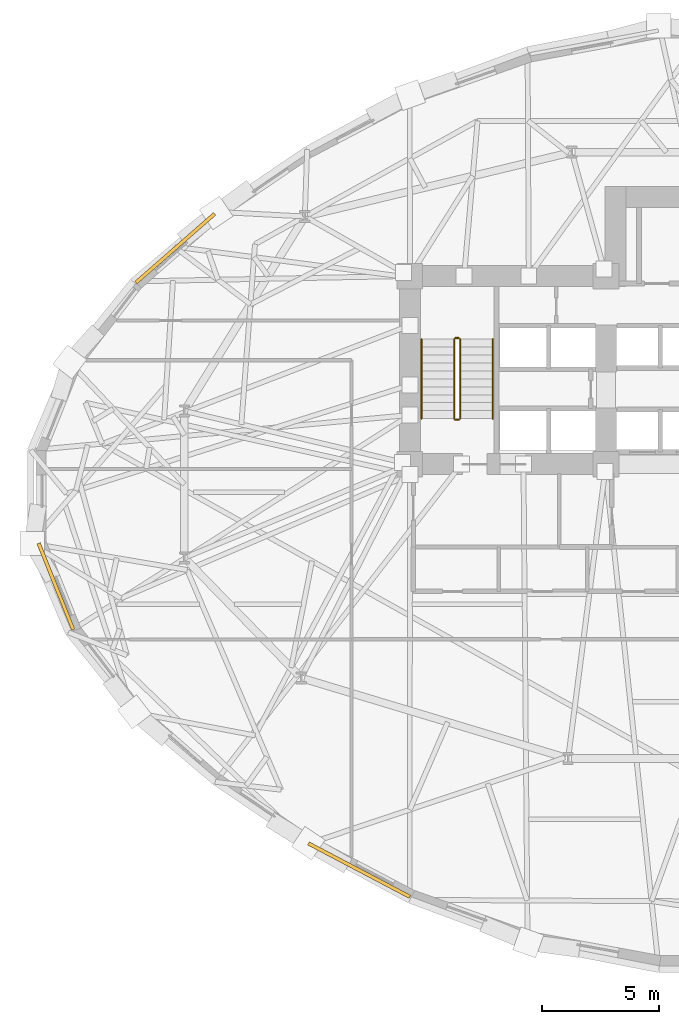
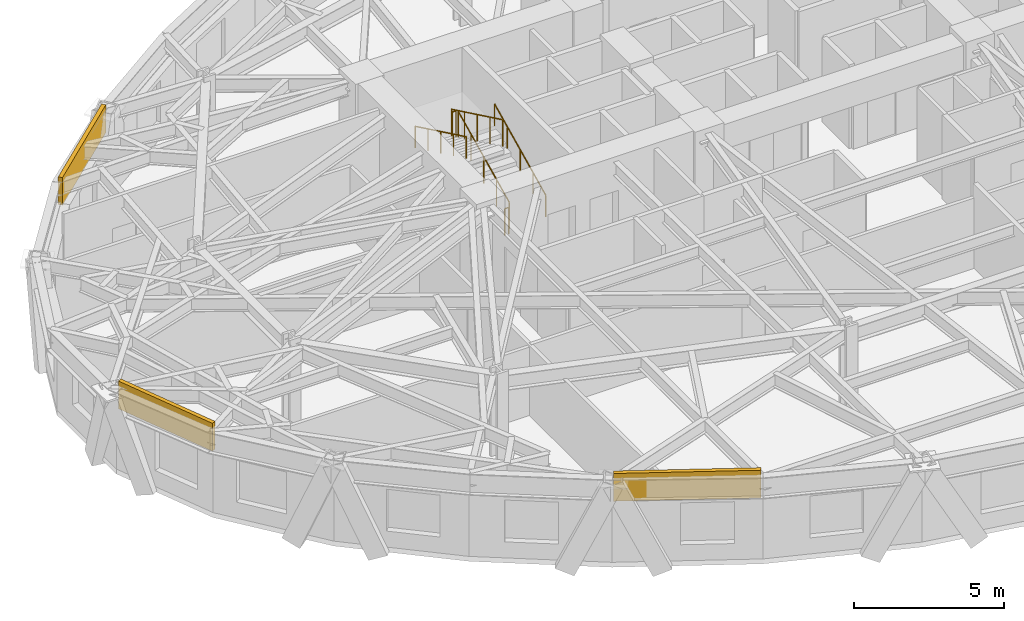
# One storey, part 11 of 14: 6 railings, 3 coverings.
"""IFC4 building model written with IfcOpenShell, lengths in metres."""

from ifc_helpers import new_model, si_unit, direction, frame, origin, origin_2d, place, context, subcontext, project, spatial, rectangle, circle, extrude, material, layer, layer_set, type_object, element, save


model = new_model("IFC4")

# Units and contexts
model_context = context("Model", 3, precision=1e-05, world=origin(), true_north=direction((0.0, 1.0)))
body_context = subcontext(model_context, "Body", "Model", "MODEL_VIEW")
ifc_project = project(units=[si_unit("LENGTHUNIT", "METRE"), si_unit("AREAUNIT", "SQUARE_METRE"), si_unit("VOLUMEUNIT", "CUBIC_METRE"), si_unit("PLANEANGLEUNIT", "RADIAN"), si_unit("MASSUNIT", "GRAM", prefix="KILO")], contexts=[model_context])

# Site, building, storey
site_placement = place(None, origin())
site = spatial("IfcSite", under=ifc_project, at=site_placement, CompositionType="ELEMENT")
building_placement = place(site_placement, origin())
building = spatial("IfcBuilding", under=site, at=building_placement, Name="Keldmark Tower", CompositionType="ELEMENT")
storey_placement = place(building_placement, frame((0.0, 0.0, 66.60009765625)))
storey = spatial("IfcBuildingStorey", under=building, at=storey_placement, Name="L17", CompositionType="ELEMENT", Elevation=66.60009765625)

# Coverings
ifc_material_1 = material(Name="Honed Kasota Buff Dolomitic Limestone", Category="masonry")
ifc_layer = layer(ifc_material_1, 0.074951171875)
ifc_layer_set = layer_set([ifc_layer], Name="Honed Kasota Buff Dolomitic Limestone")
covering_type = type_object("IfcCoveringType", Name="Kasota Buff Limestone Spandrel Cladding Band", PredefinedType="CLADDING", material=ifc_layer_set)
covering_1_placement = place(storey_placement, frame((-23.645751953125, 10.64697265625, 2.452880859375), z_axis=(0.0, 0.0, 1.0), x_axis=(-0.75308130866, -0.657927459943, 0.0)))
element("IfcCovering", 1, at=covering_1_placement, inside=storey, type_object=covering_type, Name="L17 Kasota Limestone Spandrel Band 13", PredefinedType="CLADDING", context=body_context, shape_type="SweptSolid", body=[
    extrude(rectangle(XDim=4.464111328125, YDim=0.14990234375, at=origin_2d()), origin(), (0.0, 0.0, 1.0), 1.126953125),
])
covering_2_placement = place(storey_placement, frame((-28.7578125, -3.837890625, 2.452880859375), z_axis=(0.0, 0.0, 1.0), x_axis=(0.371740523718, -0.928336675472, 0.0)))
element("IfcCovering", 2, at=covering_2_placement, inside=storey, type_object=covering_type, Name="L17 Kasota Limestone Spandrel Band 17", PredefinedType="CLADDING", context=body_context, shape_type="SweptSolid", body=[
    extrude(rectangle(XDim=3.974609375, YDim=0.14990234375, at=origin_2d()), origin(), (0.0, 0.0, 1.0), 1.126953125),
])
covering_3_placement = place(storey_placement, frame((-15.77294921875, -15.98486328125, 2.452880859375), z_axis=(0.0, 0.0, 1.0), x_axis=(0.884938873572, -0.465707193461, 0.0)))
element("IfcCovering", 3, at=covering_3_placement, inside=storey, type_object=covering_type, Name="L17 Kasota Limestone Spandrel Band 21", PredefinedType="CLADDING", context=body_context, shape_type="SweptSolid", body=[
    extrude(rectangle(XDim=4.906494140625, YDim=0.14990234375, at=origin_2d()), origin(), (0.0, 0.0, 1.0), 1.126953125),
])

# Railings
ifc_material_2 = material(Name="Painted Steel ASTM A500 Grade B", Category="steel")
railing_type_1 = type_object("IfcRailingType", Name="Painted Steel Stair Well Guard 1100 mm", PredefinedType="GUARDRAIL", material=ifc_material_2)
railing_1_placement = place(storey_placement, frame((-11.449951171875, 3.35009765625, 0.16357421875)))
element("IfcRailing", 4, at=railing_1_placement, inside=storey, type_object=railing_type_1, Name="L17 ST1 stair guard 1", PredefinedType="GUARDRAIL", context=body_context, shape_type="SweptSolid", body=[
    extrude(circle(Radius=0.02392578125, at=origin_2d()), frame((0.0, 0.0, 1.076171875), z_axis=(0.0, 0.901080338394, 0.433652192153), x_axis=(-1.0, 0.0, 0.0)), (0.0, 0.0, 1.0), 3.773193359375),
    extrude(circle(Radius=0.02099609375, at=origin_2d()), origin(), (0.0, 0.0, 1.0), 1.052001953125),
    extrude(circle(Radius=0.02099609375, at=origin_2d()), frame((0.0, 0.85009765625, 0.4091796875)), (0.0, 0.0, 1.0), 1.052001953125),
    extrude(circle(Radius=0.02099609375, at=origin_2d()), frame((0.0, 1.699951171875, 0.818115234375)), (0.0, 0.0, 1.0), 1.052001953125),
    extrude(circle(Radius=0.02099609375, at=origin_2d()), frame((0.0, 2.5498046875, 1.22705078125)), (0.0, 0.0, 1.0), 1.052001953125),
    extrude(circle(Radius=0.02099609375, at=origin_2d()), frame((0.0, 3.39990234375, 1.63623046875)), (0.0, 0.0, 1.0), 1.052001953125),
])
railing_2_placement = place(storey_placement, frame((-11.5, 6.800048828125, 1.7998046875)))
element("IfcRailing", 5, at=railing_2_placement, inside=storey, type_object=railing_type_1, Name="L17 ST1 stair guard 2", PredefinedType="GUARDRAIL", context=body_context, shape_type="SweptSolid", body=[
    extrude(circle(Radius=0.02392578125, at=origin_2d()), frame((0.0, 0.0, 1.076171875), z_axis=(-1.0, 0.0, 0.0), x_axis=(0.0, -1.0, 0.0)), (0.0, 0.0, 1.0), 0.14990234375),
    extrude(circle(Radius=0.02099609375, at=origin_2d()), origin(), (0.0, 0.0, 1.0), 1.052001953125),
    extrude(circle(Radius=0.02099609375, at=origin_2d()), frame((-0.14990234375, 0.0, 0.0)), (0.0, 0.0, 1.0), 1.052001953125),
])
railing_3_placement = place(storey_placement, frame((-11.699951171875, 6.75, 1.963623046875)))
element("IfcRailing", 6, at=railing_3_placement, inside=storey, type_object=railing_type_1, Name="L17 ST1 stair guard 3", PredefinedType="GUARDRAIL", context=body_context, shape_type="SweptSolid", body=[
    extrude(circle(Radius=0.02392578125, at=origin_2d()), frame((0.0, 0.0, 1.076171875), z_axis=(0.0, -0.901080338394, 0.433652192153), x_axis=(1.0, 0.0, 0.0)), (0.0, 0.0, 1.0), 3.773193359375),
    extrude(circle(Radius=0.02099609375, at=origin_2d()), origin(), (0.0, 0.0, 1.0), 1.052001953125),
    extrude(circle(Radius=0.02099609375, at=origin_2d()), frame((0.0, -0.85009765625, 0.4091796875)), (0.0, 0.0, 1.0), 1.052001953125),
    extrude(circle(Radius=0.02099609375, at=origin_2d()), frame((0.0, -1.699951171875, 0.818115234375)), (0.0, 0.0, 1.0), 1.052001953125),
    extrude(circle(Radius=0.02099609375, at=origin_2d()), frame((0.0, -2.5498046875, 1.22705078125)), (0.0, 0.0, 1.0), 1.052001953125),
    extrude(circle(Radius=0.02099609375, at=origin_2d()), frame((0.0, -3.39990234375, 1.63623046875)), (0.0, 0.0, 1.0), 1.052001953125),
])
railing_4_placement = place(storey_placement, frame((-11.5, 3.300048828125, 0.0)))
element("IfcRailing", 7, at=railing_4_placement, inside=storey, type_object=railing_type_1, Name="L17 ST1 stair guard 4", PredefinedType="GUARDRAIL", context=body_context, shape_type="SweptSolid", body=[
    extrude(circle(Radius=0.02392578125, at=origin_2d()), frame((0.0, 0.0, 1.076171875), z_axis=(-1.0, 0.0, 0.0), x_axis=(0.0, -1.0, 0.0)), (0.0, 0.0, 1.0), 0.14990234375),
    extrude(circle(Radius=0.02099609375, at=origin_2d()), origin(), (0.0, 0.0, 1.0), 1.052001953125),
    extrude(circle(Radius=0.02099609375, at=origin_2d()), frame((-0.14990234375, 0.0, 0.0)), (0.0, 0.0, 1.0), 1.052001953125),
])
ifc_material_3 = material(Name="Stainless Steel AISI 316L", Category="steel")
railing_type_2 = type_object("IfcRailingType", Name="Stainless Steel Stair Handrail 900 mm", PredefinedType="HANDRAIL", material=ifc_material_3)
railing_5_placement = place(storey_placement, frame((-10.050048828125, 3.35009765625, 0.16357421875)))
element("IfcRailing", 8, at=railing_5_placement, inside=storey, type_object=railing_type_2, Name="L17 ST1 stair handrail 1", PredefinedType="HANDRAIL", context=body_context, shape_type="SweptSolid", body=[
    extrude(circle(Radius=0.02392578125, at=origin_2d()), frame((0.0, 0.0, 0.8759765625), z_axis=(0.0, 0.901080338394, 0.433652192153), x_axis=(-1.0, 0.0, 0.0)), (0.0, 0.0, 1.0), 3.773193359375),
    extrude(circle(Radius=0.02099609375, at=origin_2d()), origin(), (0.0, 0.0, 1.0), 0.851806640625),
    extrude(circle(Radius=0.02099609375, at=origin_2d()), frame((0.0, 0.85009765625, 0.4091796875)), (0.0, 0.0, 1.0), 0.851806640625),
    extrude(circle(Radius=0.02099609375, at=origin_2d()), frame((0.0, 1.699951171875, 0.818115234375)), (0.0, 0.0, 1.0), 0.851806640625),
    extrude(circle(Radius=0.02099609375, at=origin_2d()), frame((0.0, 2.5498046875, 1.22705078125)), (0.0, 0.0, 1.0), 0.851806640625),
    extrude(circle(Radius=0.02099609375, at=origin_2d()), frame((0.0, 3.39990234375, 1.63623046875)), (0.0, 0.0, 1.0), 0.851806640625),
])
railing_6_placement = place(storey_placement, frame((-13.10009765625, 6.75, 1.963623046875)))
element("IfcRailing", 9, at=railing_6_placement, inside=storey, type_object=railing_type_2, Name="L17 ST1 stair handrail 2", PredefinedType="HANDRAIL", context=body_context, shape_type="SweptSolid", body=[
    extrude(circle(Radius=0.02392578125, at=origin_2d()), frame((0.0, 0.0, 0.8759765625), z_axis=(0.0, -0.901080338394, 0.433652192153), x_axis=(1.0, 0.0, 0.0)), (0.0, 0.0, 1.0), 3.773193359375),
    extrude(circle(Radius=0.02099609375, at=origin_2d()), origin(), (0.0, 0.0, 1.0), 0.851806640625),
    extrude(circle(Radius=0.02099609375, at=origin_2d()), frame((0.0, -0.85009765625, 0.4091796875)), (0.0, 0.0, 1.0), 0.851806640625),
    extrude(circle(Radius=0.02099609375, at=origin_2d()), frame((0.0, -1.699951171875, 0.818115234375)), (0.0, 0.0, 1.0), 0.851806640625),
    extrude(circle(Radius=0.02099609375, at=origin_2d()), frame((0.0, -2.5498046875, 1.22705078125)), (0.0, 0.0, 1.0), 0.851806640625),
    extrude(circle(Radius=0.02099609375, at=origin_2d()), frame((0.0, -3.39990234375, 1.63623046875)), (0.0, 0.0, 1.0), 0.851806640625),
])

save(model, "model.ifc")
